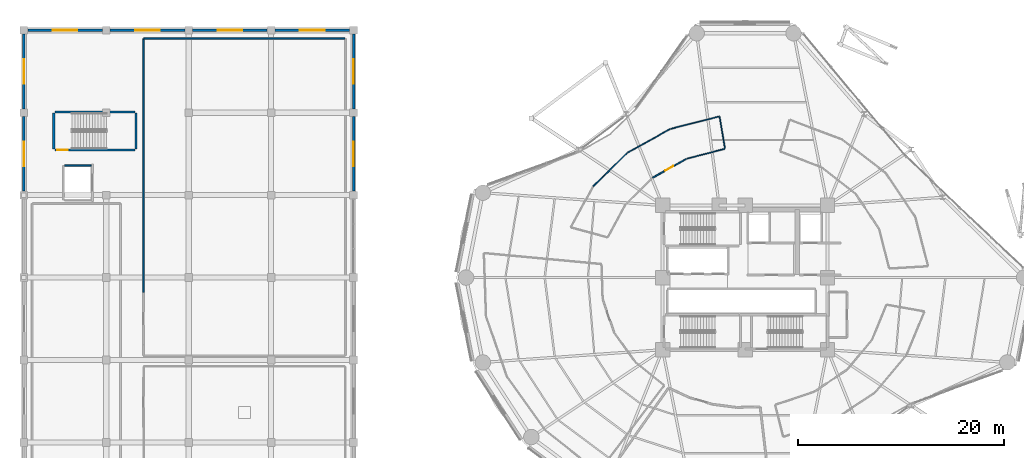
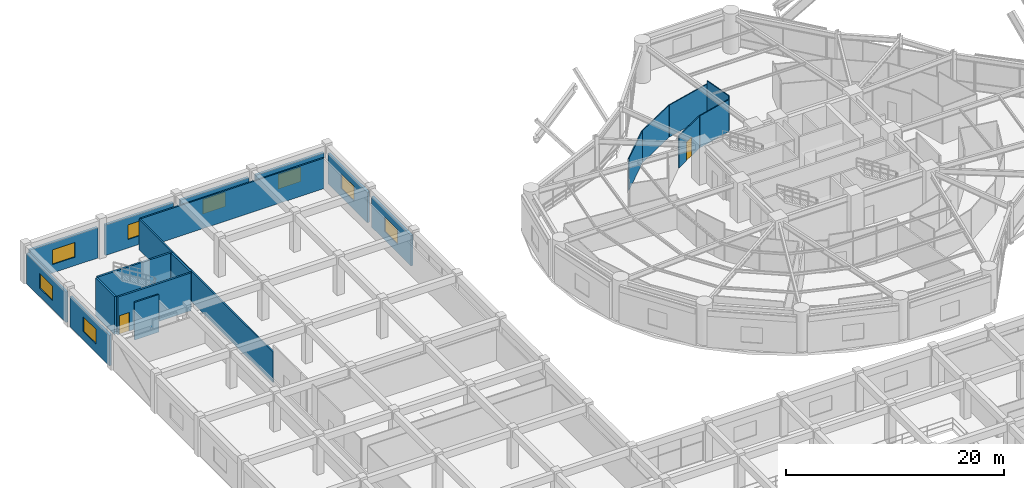
# One storey, part 46 of 55: 21 walls, 8 windows, 2 doors, 10 openings.
"""IFC4 building model written with IfcOpenShell, lengths in metres."""

from ifc_helpers import new_model, si_unit, direction, frame, frame_2d, origin, place, context, subcontext, project, spatial, rectangle, extrude, material, layer, layer_set, type_object, element, fill, save


model = new_model("IFC4")

# Units and contexts
model_context = context("Model", 3, precision=1e-05, world=origin(), true_north=direction((0.0, 1.0)))
body_context = subcontext(model_context, "Body", "Model", "MODEL_VIEW")
ifc_project = project(units=[si_unit("LENGTHUNIT", "METRE"), si_unit("AREAUNIT", "SQUARE_METRE"), si_unit("VOLUMEUNIT", "CUBIC_METRE"), si_unit("PLANEANGLEUNIT", "RADIAN"), si_unit("MASSUNIT", "GRAM", prefix="KILO")], contexts=[model_context])

# Site, building, storey
site_placement = place(None, origin())
site = spatial("IfcSite", under=ifc_project, at=site_placement, CompositionType="ELEMENT")
building_placement = place(site_placement, origin())
building = spatial("IfcBuilding", under=site, at=building_placement, Name="Kelanora Arch Commons", CompositionType="ELEMENT")
storey_placement = place(building_placement, frame((0.0, 0.0, 4.5)))
storey = spatial("IfcBuildingStorey", under=building, at=storey_placement, Name="L01", CompositionType="ELEMENT", Elevation=4.5)

# Walls
ifc_material_1 = material(Name="Autoclaved aerated concrete blockwork with fire plaster", Category="masonry")
ifc_layer_1 = layer(ifc_material_1, 0.14990234375)
ifc_layer_set_1 = layer_set([ifc_layer_1], Name="Autoclaved aerated concrete blockwork with fire plaster")
wall_type_1 = type_object("IfcWallType", Name="W-COMP-150", PredefinedType="PARTITIONING", material=ifc_layer_set_1)
wall_1_placement = place(storey_placement, frame((7.9599609375, 68.860107421875, 0.0), z_axis=(0.0, 0.0, 1.0), x_axis=(1.0, 0.0, 0.0)))
element("IfcWall", 1, at=wall_1_placement, inside=storey, type_object=wall_type_1, Name="Market West Lift Shaft North Wall L01", PredefinedType="PARTITIONING", context=body_context, shape_type="SweptSolid", body=[
    extrude(rectangle(XDim=2.56005859375, YDim=0.14990234375, at=frame_2d((1.280029296875, 0.0))), origin(), (0.0, 0.0, 1.0), 4.22998046875),
])
wall_2_placement = place(storey_placement, frame((35.159912109375, 81.199951171875, 0.0), z_axis=(0.0, 0.0, 1.0), x_axis=(-1.0, 0.0, 0.0)))
element("IfcWall", 2, at=wall_2_placement, inside=storey, type_object=wall_type_1, Name="Market Mezzanine Cold Room and Dry Goods Store L01 Enclosure Partition 3", PredefinedType="PARTITIONING", context=body_context, shape_type="SweptSolid", body=[
    extrude(rectangle(XDim=19.5, YDim=0.14990234375, at=frame_2d((9.75, 0.0))), origin(), (0.0, 0.0, 1.0), 3.425048828125),
])
wall_3_placement = place(storey_placement, frame((15.6201171875, 81.159912109375, 0.0), z_axis=(0.0, 0.0, 1.0), x_axis=(0.0, -1.0, 0.0)))
element("IfcWall", 3, at=wall_3_placement, inside=storey, type_object=wall_type_1, Name="Market Mezzanine Cold Room and Dry Goods Store L01 Enclosure Partition 4", PredefinedType="PARTITIONING", context=body_context, shape_type="SweptSolid", body=[
    extrude(rectangle(XDim=24.619873046875, YDim=0.14990234375, at=frame_2d((12.31005859375, 0.0))), origin(), (0.0, 0.0, 1.0), 3.425048828125),
])

# Wall, opening, window
ifc_material_2 = material(Name="Precast concrete C40/50 with terracotta ceramic cladding", Category="masonry")
ifc_layer_2 = layer(ifc_material_2, 0.25)
ifc_layer_set_2 = layer_set([ifc_layer_2], Name="Precast concrete C40/50 with terracotta ceramic cladding")
wall_type_2 = type_object("IfcWallType", Name="W-EXT-MKT", PredefinedType="SOLIDWALL", material=ifc_layer_set_2)
wall_4_placement = place(storey_placement, frame((36.0, 66.3798828125, 0.0), z_axis=(0.0, 0.0, 1.0), x_axis=(0.0, 1.0, 0.0)))
wall_4 = element("IfcWall", 4, at=wall_4_placement, inside=storey, type_object=wall_type_2, Name="Market Hall Exterior Wall L01-28", PredefinedType="SOLIDWALL", context=body_context, shape_type="SweptSolid", body=[
    extrude(rectangle(XDim=7.240234375, YDim=0.25, at=frame_2d((3.6201171875, 0.0))), origin(), (0.0, 0.0, 1.0), 3.419921875),
])
opening_1_placement = place(wall_4_placement, frame((2.419921875, 0.0, 0.949951171875)))
opening_1 = element("IfcOpeningElement", 5, at=opening_1_placement, cuts=wall_4, Name="Opening WN-03", PredefinedType="OPENING", context=body_context, shape_type="SweptSolid", body=[
    extrude(rectangle(XDim=2.39990234375, YDim=1.64990234375, at=frame_2d((1.199951171875, 0.824951171875))), frame((0.0, 0.135009765625, 0.0), z_axis=(0.0, -1.0, 0.0), x_axis=(1.0, 0.0, 0.0)), (0.0, 0.0, 1.0), 0.27001953125),
])
ifc_material_3 = material(Name="Bronze-terracotta aluminium monsoon clerestory window", Category="masonry")
window_type = type_object("IfcWindowType", Name="WIN-MKT-24", PartitioningType="TRIPLE_PANEL_VERTICAL", PredefinedType="WINDOW", material=ifc_material_3)
window_1_placement = place(opening_1_placement, origin())
window_1 = element("IfcWindow", 6, at=window_1_placement, inside=storey, type_object=window_type, Name="Market Hall Clerestory Window L01-28", OverallHeight=1.64990234375, OverallWidth=2.39990234375, PartitioningType="SINGLE_PANEL", PredefinedType="WINDOW", context=body_context, shape_type="SweptSolid", body=[
    extrude(rectangle(XDim=2.39990234375, YDim=1.64990234375, at=frame_2d((1.199951171875, 0.824951171875))), frame((0.0, 0.030029296875, 0.0), z_axis=(0.0, -1.0, 0.0), x_axis=(1.0, 0.0, 0.0)), (0.0, 0.0, 1.0), 0.06005859375),
])
fill(opening_1, window_1)

wall_5_placement = place(storey_placement, frame((36.0, 74.3798828125, 0.0), z_axis=(0.0, 0.0, 1.0), x_axis=(0.0, 1.0, 0.0)))
wall_5 = element("IfcWall", 7, at=wall_5_placement, inside=storey, type_object=wall_type_2, Name="Market Hall Exterior Wall L01-29", PredefinedType="SOLIDWALL", context=body_context, shape_type="SweptSolid", body=[
    extrude(rectangle(XDim=7.240234375, YDim=0.25, at=frame_2d((3.6201171875, 0.0))), origin(), (0.0, 0.0, 1.0), 3.419921875),
])
opening_2_placement = place(wall_5_placement, frame((2.419921875, 0.0, 0.949951171875)))
opening_2 = element("IfcOpeningElement", 8, at=opening_2_placement, cuts=wall_5, Name="Opening WN-03", PredefinedType="OPENING", context=body_context, shape_type="SweptSolid", body=[
    extrude(rectangle(XDim=2.39990234375, YDim=1.64990234375, at=frame_2d((1.199951171875, 0.824951171875))), frame((0.0, 0.135009765625, 0.0), z_axis=(0.0, -1.0, 0.0), x_axis=(1.0, 0.0, 0.0)), (0.0, 0.0, 1.0), 0.27001953125),
])
window_2_placement = place(opening_2_placement, origin())
window_2 = element("IfcWindow", 9, at=window_2_placement, inside=storey, type_object=window_type, Name="Market Hall Clerestory Window L01-29", OverallHeight=1.64990234375, OverallWidth=2.39990234375, PartitioningType="SINGLE_PANEL", PredefinedType="WINDOW", context=body_context, shape_type="SweptSolid", body=[
    extrude(rectangle(XDim=2.39990234375, YDim=1.64990234375, at=frame_2d((1.199951171875, 0.824951171875))), frame((0.0, 0.030029296875, 0.0), z_axis=(0.0, -1.0, 0.0), x_axis=(1.0, 0.0, 0.0)), (0.0, 0.0, 1.0), 0.06005859375),
])
fill(opening_2, window_2)

wall_6_placement = place(storey_placement, frame((35.6201171875, 82.0, 0.0), z_axis=(0.0, 0.0, 1.0), x_axis=(-1.0, 0.0, 0.0)))
wall_6 = element("IfcWall", 10, at=wall_6_placement, inside=storey, type_object=wall_type_2, Name="Market Hall Exterior Wall L01-30", PredefinedType="SOLIDWALL", context=body_context, shape_type="SweptSolid", body=[
    extrude(rectangle(XDim=7.240234375, YDim=0.25, at=frame_2d((3.6201171875, 0.0))), origin(), (0.0, 0.0, 1.0), 3.419921875),
])
opening_3_placement = place(wall_6_placement, frame((2.419921875, 0.0, 0.949951171875)))
opening_3 = element("IfcOpeningElement", 11, at=opening_3_placement, cuts=wall_6, Name="Opening WN-03", PredefinedType="OPENING", context=body_context, shape_type="SweptSolid", body=[
    extrude(rectangle(XDim=2.39990234375, YDim=1.64990234375, at=frame_2d((1.199951171875, 0.824951171875))), frame((0.0, 0.135009765625, 0.0), z_axis=(0.0, -1.0, 0.0), x_axis=(1.0, 0.0, 0.0)), (0.0, 0.0, 1.0), 0.27001953125),
])
window_3_placement = place(opening_3_placement, origin())
window_3 = element("IfcWindow", 12, at=window_3_placement, inside=storey, type_object=window_type, Name="Market Hall Clerestory Window L01-30", OverallHeight=1.64990234375, OverallWidth=2.39990234375, PartitioningType="SINGLE_PANEL", PredefinedType="WINDOW", context=body_context, shape_type="SweptSolid", body=[
    extrude(rectangle(XDim=2.39990234375, YDim=1.64990234375, at=frame_2d((1.199951171875, 0.824951171875))), frame((0.0, 0.030029296875, 0.0), z_axis=(0.0, -1.0, 0.0), x_axis=(1.0, 0.0, 0.0)), (0.0, 0.0, 1.0), 0.06005859375),
])
fill(opening_3, window_3)

wall_7_placement = place(storey_placement, frame((27.6201171875, 82.0, 0.0), z_axis=(0.0, 0.0, 1.0), x_axis=(-1.0, 0.0, 0.0)))
wall_7 = element("IfcWall", 13, at=wall_7_placement, inside=storey, type_object=wall_type_2, Name="Market Hall Exterior Wall L01-31", PredefinedType="SOLIDWALL", context=body_context, shape_type="SweptSolid", body=[
    extrude(rectangle(XDim=7.240234375, YDim=0.25, at=frame_2d((3.6201171875, 0.0))), origin(), (0.0, 0.0, 1.0), 3.419921875),
])
opening_4_placement = place(wall_7_placement, frame((2.419921875, 0.0, 0.949951171875)))
opening_4 = element("IfcOpeningElement", 14, at=opening_4_placement, cuts=wall_7, Name="Opening WN-03", PredefinedType="OPENING", context=body_context, shape_type="SweptSolid", body=[
    extrude(rectangle(XDim=2.39990234375, YDim=1.64990234375, at=frame_2d((1.199951171875, 0.824951171875))), frame((0.0, 0.135009765625, 0.0), z_axis=(0.0, -1.0, 0.0), x_axis=(1.0, 0.0, 0.0)), (0.0, 0.0, 1.0), 0.27001953125),
])
window_4_placement = place(opening_4_placement, origin())
window_4 = element("IfcWindow", 15, at=window_4_placement, inside=storey, type_object=window_type, Name="Market Hall Clerestory Window L01-31", OverallHeight=1.64990234375, OverallWidth=2.39990234375, PartitioningType="SINGLE_PANEL", PredefinedType="WINDOW", context=body_context, shape_type="SweptSolid", body=[
    extrude(rectangle(XDim=2.39990234375, YDim=1.64990234375, at=frame_2d((1.199951171875, 0.824951171875))), frame((0.0, 0.030029296875, 0.0), z_axis=(0.0, -1.0, 0.0), x_axis=(1.0, 0.0, 0.0)), (0.0, 0.0, 1.0), 0.06005859375),
])
fill(opening_4, window_4)

wall_8_placement = place(storey_placement, frame((19.6201171875, 82.0, 0.0), z_axis=(0.0, 0.0, 1.0), x_axis=(-1.0, 0.0, 0.0)))
wall_8 = element("IfcWall", 16, at=wall_8_placement, inside=storey, type_object=wall_type_2, Name="Market Hall Exterior Wall L01-32", PredefinedType="SOLIDWALL", context=body_context, shape_type="SweptSolid", body=[
    extrude(rectangle(XDim=7.240234375, YDim=0.25, at=frame_2d((3.6201171875, 0.0))), origin(), (0.0, 0.0, 1.0), 3.419921875),
])
opening_5_placement = place(wall_8_placement, frame((2.419921875, 0.0, 0.949951171875)))
opening_5 = element("IfcOpeningElement", 17, at=opening_5_placement, cuts=wall_8, Name="Opening WN-03", PredefinedType="OPENING", context=body_context, shape_type="SweptSolid", body=[
    extrude(rectangle(XDim=2.39990234375, YDim=1.64990234375, at=frame_2d((1.199951171875, 0.824951171875))), frame((0.0, 0.135009765625, 0.0), z_axis=(0.0, -1.0, 0.0), x_axis=(1.0, 0.0, 0.0)), (0.0, 0.0, 1.0), 0.27001953125),
])
window_5_placement = place(opening_5_placement, origin())
window_5 = element("IfcWindow", 18, at=window_5_placement, inside=storey, type_object=window_type, Name="Market Hall Clerestory Window L01-32", OverallHeight=1.64990234375, OverallWidth=2.39990234375, PartitioningType="SINGLE_PANEL", PredefinedType="WINDOW", context=body_context, shape_type="SweptSolid", body=[
    extrude(rectangle(XDim=2.39990234375, YDim=1.64990234375, at=frame_2d((1.199951171875, 0.824951171875))), frame((0.0, 0.030029296875, 0.0), z_axis=(0.0, -1.0, 0.0), x_axis=(1.0, 0.0, 0.0)), (0.0, 0.0, 1.0), 0.06005859375),
])
fill(opening_5, window_5)

wall_9_placement = place(storey_placement, frame((11.6201171875, 82.0, 0.0), z_axis=(0.0, 0.0, 1.0), x_axis=(-1.0, 0.0, 0.0)))
wall_9 = element("IfcWall", 19, at=wall_9_placement, inside=storey, type_object=wall_type_2, Name="Market Hall Exterior Wall L01-33", PredefinedType="SOLIDWALL", context=body_context, shape_type="SweptSolid", body=[
    extrude(rectangle(XDim=7.240234375, YDim=0.25, at=frame_2d((3.6201171875, 0.0))), origin(), (0.0, 0.0, 1.0), 3.419921875),
])
opening_6_placement = place(wall_9_placement, frame((2.419921875, 0.0, 0.949951171875)))
opening_6 = element("IfcOpeningElement", 20, at=opening_6_placement, cuts=wall_9, Name="Opening WN-03", PredefinedType="OPENING", context=body_context, shape_type="SweptSolid", body=[
    extrude(rectangle(XDim=2.39990234375, YDim=1.64990234375, at=frame_2d((1.199951171875, 0.824951171875))), frame((0.0, 0.135009765625, 0.0), z_axis=(0.0, -1.0, 0.0), x_axis=(1.0, 0.0, 0.0)), (0.0, 0.0, 1.0), 0.27001953125),
])
window_6_placement = place(opening_6_placement, origin())
window_6 = element("IfcWindow", 21, at=window_6_placement, inside=storey, type_object=window_type, Name="Market Hall Clerestory Window L01-33", OverallHeight=1.64990234375, OverallWidth=2.39990234375, PartitioningType="SINGLE_PANEL", PredefinedType="WINDOW", context=body_context, shape_type="SweptSolid", body=[
    extrude(rectangle(XDim=2.39990234375, YDim=1.64990234375, at=frame_2d((1.199951171875, 0.824951171875))), frame((0.0, 0.030029296875, 0.0), z_axis=(0.0, -1.0, 0.0), x_axis=(1.0, 0.0, 0.0)), (0.0, 0.0, 1.0), 0.06005859375),
])
fill(opening_6, window_6)

wall_10_placement = place(storey_placement, frame((4.0, 81.6201171875, 0.0), z_axis=(0.0, 0.0, 1.0), x_axis=(0.0, -1.0, 0.0)))
wall_10 = element("IfcWall", 22, at=wall_10_placement, inside=storey, type_object=wall_type_2, Name="Market Hall Exterior Wall L01-34", PredefinedType="SOLIDWALL", context=body_context, shape_type="SweptSolid", body=[
    extrude(rectangle(XDim=7.240234375, YDim=0.25, at=frame_2d((3.6201171875, 0.0))), origin(), (0.0, 0.0, 1.0), 3.419921875),
])
opening_7_placement = place(wall_10_placement, frame((2.419921875, 0.0, 0.949951171875)))
opening_7 = element("IfcOpeningElement", 23, at=opening_7_placement, cuts=wall_10, Name="Opening WN-03", PredefinedType="OPENING", context=body_context, shape_type="SweptSolid", body=[
    extrude(rectangle(XDim=2.39990234375, YDim=1.64990234375, at=frame_2d((1.199951171875, 0.824951171875))), frame((0.0, 0.135009765625, 0.0), z_axis=(0.0, -1.0, 0.0), x_axis=(1.0, 0.0, 0.0)), (0.0, 0.0, 1.0), 0.27001953125),
])
window_7_placement = place(opening_7_placement, origin())
window_7 = element("IfcWindow", 24, at=window_7_placement, inside=storey, type_object=window_type, Name="Market Hall Clerestory Window L01-34", OverallHeight=1.64990234375, OverallWidth=2.39990234375, PartitioningType="SINGLE_PANEL", PredefinedType="WINDOW", context=body_context, shape_type="SweptSolid", body=[
    extrude(rectangle(XDim=2.39990234375, YDim=1.64990234375, at=frame_2d((1.199951171875, 0.824951171875))), frame((0.0, 0.030029296875, 0.0), z_axis=(0.0, -1.0, 0.0), x_axis=(1.0, 0.0, 0.0)), (0.0, 0.0, 1.0), 0.06005859375),
])
fill(opening_7, window_7)

wall_11_placement = place(storey_placement, frame((4.0, 73.6201171875, 0.0), z_axis=(0.0, 0.0, 1.0), x_axis=(0.0, -1.0, 0.0)))
wall_11 = element("IfcWall", 25, at=wall_11_placement, inside=storey, type_object=wall_type_2, Name="Market Hall Exterior Wall L01-35", PredefinedType="SOLIDWALL", context=body_context, shape_type="SweptSolid", body=[
    extrude(rectangle(XDim=7.240234375, YDim=0.25, at=frame_2d((3.6201171875, 0.0))), origin(), (0.0, 0.0, 1.0), 3.419921875),
])
opening_8_placement = place(wall_11_placement, frame((2.419921875, 0.0, 0.949951171875)))
opening_8 = element("IfcOpeningElement", 26, at=opening_8_placement, cuts=wall_11, Name="Opening WN-03", PredefinedType="OPENING", context=body_context, shape_type="SweptSolid", body=[
    extrude(rectangle(XDim=2.39990234375, YDim=1.64990234375, at=frame_2d((1.199951171875, 0.824951171875))), frame((0.0, 0.135009765625, 0.0), z_axis=(0.0, -1.0, 0.0), x_axis=(1.0, 0.0, 0.0)), (0.0, 0.0, 1.0), 0.27001953125),
])
window_8_placement = place(opening_8_placement, origin())
window_8 = element("IfcWindow", 27, at=window_8_placement, inside=storey, type_object=window_type, Name="Market Hall Clerestory Window L01-35", OverallHeight=1.64990234375, OverallWidth=2.39990234375, PartitioningType="SINGLE_PANEL", PredefinedType="WINDOW", context=body_context, shape_type="SweptSolid", body=[
    extrude(rectangle(XDim=2.39990234375, YDim=1.64990234375, at=frame_2d((1.199951171875, 0.824951171875))), frame((0.0, 0.030029296875, 0.0), z_axis=(0.0, -1.0, 0.0), x_axis=(1.0, 0.0, 0.0)), (0.0, 0.0, 1.0), 0.06005859375),
])
fill(opening_8, window_8)

# Walls
ifc_material_4 = material(Name="Lightweight fire-rated acoustic stud partition")
ifc_layer_3 = layer(ifc_material_4, 0.10009765625)
ifc_layer_set_3 = layer_set([ifc_layer_3], Name="Lightweight fire-rated acoustic stud partition")
wall_type_3 = type_object("IfcWallType", Name="W-PART-100", PredefinedType="PARTITIONING", material=ifc_layer_set_3)
wall_12_placement = place(storey_placement, frame((72.01025390625, 70.487060546875, 0.0), z_axis=(0.0, 0.0, 1.0), x_axis=(-0.96827883043, -0.249872180405, 0.0)))
element("IfcWall", 28, at=wall_12_placement, inside=storey, type_object=wall_type_3, Name="North Courtyard Culinary Dining Hall L01-B Enclosure Partition 1", PredefinedType="PARTITIONING", context=body_context, shape_type="SweptSolid", body=[
    extrude(rectangle(XDim=3.7939453125, YDim=0.10009765625, at=frame_2d((1.89697265625, 0.0))), origin(), (0.0, 0.0, 1.0), 3.5849609375),
])
wall_13_placement = place(storey_placement, frame((59.271484375, 66.863037109375, 0.0), z_axis=(0.0, 0.0, 1.0), x_axis=(0.712024911857, 0.702154203075, 0.0)))
element("IfcWall", 29, at=wall_13_placement, inside=storey, type_object=wall_type_3, Name="North Courtyard Culinary Dining Hall L01-B Enclosure Partition 7", PredefinedType="PARTITIONING", context=body_context, shape_type="SweptSolid", body=[
    extrude(rectangle(XDim=4.57568359375, YDim=0.10009765625, at=frame_2d((2.287841796875, 0.0))), origin(), (0.0, 0.0, 1.0), 3.5849609375),
])
wall_14_placement = place(storey_placement, frame((62.593017578125, 70.123291015625, 0.0), z_axis=(0.0, 0.0, 1.0), x_axis=(0.874546970914, 0.484940816663, 0.0)))
element("IfcWall", 30, at=wall_14_placement, inside=storey, type_object=wall_type_3, Name="North Courtyard Culinary Dining Hall L01-B Enclosure Partition 8", PredefinedType="PARTITIONING", context=body_context, shape_type="SweptSolid", body=[
    extrude(rectangle(XDim=4.724853515625, YDim=0.10009765625, at=frame_2d((2.3623046875, 0.0))), origin(), (0.0, 0.0, 1.0), 3.5849609375),
])
wall_15_placement = place(storey_placement, frame((66.798828125, 72.44384765625, 0.0), z_axis=(0.0, 0.0, 1.0), x_axis=(0.969121093941, 0.246585290069, 0.0)))
element("IfcWall", 31, at=wall_15_placement, inside=storey, type_object=wall_type_3, Name="North Courtyard Culinary Dining Hall L01-B Enclosure Partition 9", PredefinedType="PARTITIONING", context=body_context, shape_type="SweptSolid", body=[
    extrude(rectangle(XDim=4.83447265625, YDim=0.10009765625, at=frame_2d((2.417236328125, 0.0))), origin(), (0.0, 0.0, 1.0), 3.5849609375),
])
wall_16_placement = place(storey_placement, frame((71.529541015625, 73.6064453125, 0.0), z_axis=(0.0, 0.0, 1.0), x_axis=(0.164806022155, -0.98632599837, 0.0)))
element("IfcWall", 32, at=wall_16_placement, inside=storey, type_object=wall_type_3, Name="North Courtyard Culinary Dining Hall L01-B Enclosure Partition 10", PredefinedType="PARTITIONING", context=body_context, shape_type="SweptSolid", body=[
    extrude(rectangle(XDim=3.1123046875, YDim=0.10009765625, at=frame_2d((1.55615234375, 0.0))), origin(), (0.0, 0.0, 1.0), 3.945068359375),
])

# Wall, opening, door
ifc_material_5 = material(Name="Acoustic twin-stud fire-rated gypsum partition")
ifc_layer_4 = layer(ifc_material_5, 0.1201171875)
ifc_layer_set_4 = layer_set([ifc_layer_4], Name="Acoustic twin-stud fire-rated gypsum partition")
wall_type_4 = type_object("IfcWallType", Name="W-PART-120", PredefinedType="PARTITIONING", material=ifc_layer_set_4)
wall_17_placement = place(storey_placement, frame((68.24560546875, 69.49951171875, 0.0), z_axis=(0.0, 0.0, 1.0), x_axis=(-0.871548943047, -0.490308514993, 0.0)))
wall_17 = element("IfcWall", 33, at=wall_17_placement, inside=storey, type_object=wall_type_4, Name="North Courtyard Culinary Dining Hall L01-B Entry Partition", PredefinedType="PARTITIONING", context=body_context, shape_type="SweptSolid", body=[
    extrude(rectangle(XDim=3.677734375, YDim=0.1201171875, at=frame_2d((1.8388671875, 0.0))), origin(), (0.0, 0.0, 1.0), 3.5849609375),
])
opening_9_placement = place(wall_17_placement, frame((1.388916015625, 0.0, 0.0)))
opening_9 = element("IfcOpeningElement", 34, at=opening_9_placement, cuts=wall_17, Name="Opening D-RM1", PredefinedType="OPENING", context=body_context, shape_type="SweptSolid", body=[
    extrude(rectangle(XDim=0.89990234375, YDim=2.080078125, at=frame_2d((0.449951171875, 1.0400390625))), frame((0.0, 0.070068359375, 0.0), z_axis=(0.0, -1.0, 0.0), x_axis=(1.0, 0.0, 0.0)), (0.0, 0.0, 1.0), 0.14013671875),
])
ifc_material_6 = material(Name="Acoustic fire-rated timber study and lounge door", Category="wood")
door_type_1 = type_object("IfcDoorType", Name="D-ROOM-90", OperationType="NOTDEFINED", PredefinedType="DOOR", material=ifc_material_6)
door_1_placement = place(opening_9_placement, origin())
door_1 = element("IfcDoor", 35, at=door_1_placement, inside=storey, type_object=door_type_1, Name="North Courtyard Culinary Dining Hall L01-B Door", OperationType="SINGLE_SWING_RIGHT", OverallHeight=2.080078125, OverallWidth=0.89990234375, PredefinedType="DOOR", context=body_context, shape_type="SweptSolid", body=[
    extrude(rectangle(XDim=0.89990234375, YDim=2.080078125, at=frame_2d((0.449951171875, 1.0400390625))), frame((0.0, 0.02490234375, 0.0), z_axis=(0.0, -1.0, 0.0), x_axis=(1.0, 0.0, 0.0)), (0.0, 0.0, 1.0), 0.050048828125),
])
fill(opening_9, door_1)

ifc_material_7 = material(Name="Concrete C40/50", Category="concrete")
ifc_layer_5 = layer(ifc_material_7, 0.199951171875)
ifc_layer_set_5 = layer_set([ifc_layer_5], Name="Concrete C40/50")
wall_type_5 = type_object("IfcWallType", Name="W-STAIR-200", PredefinedType="SHEAR", material=ifc_layer_set_5)
wall_18_placement = place(storey_placement, frame((7.02001953125, 70.3798828125, 0.0), z_axis=(0.0, 0.0, 1.0), x_axis=(1.0, 0.0, 0.0)))
wall_18 = element("IfcWall", 36, at=wall_18_placement, inside=storey, type_object=wall_type_5, Name="Stair ST-M3 Shaft Wall S L01", PredefinedType="SHEAR", context=body_context, shape_type="SweptSolid", body=[
    extrude(rectangle(XDim=7.760009765625, YDim=0.199951171875, at=frame_2d((3.8798828125, 0.0))), origin(), (0.0, 0.0, 1.0), 4.239990234375),
])
opening_10_placement = place(wall_18_placement, frame((0.199951171875, 0.0, 0.0)))
opening_10 = element("IfcOpeningElement", 37, at=opening_10_placement, cuts=wall_18, Name="Opening D-ST1", PredefinedType="OPENING", context=body_context, shape_type="SweptSolid", body=[
    extrude(rectangle(XDim=1.050048828125, YDim=2.10009765625, at=frame_2d((0.52490234375, 1.050048828125))), frame((0.0, 0.10986328125, 0.0), z_axis=(0.0, -1.0, 0.0), x_axis=(1.0, 0.0, 0.0)), (0.0, 0.0, 1.0), 0.219970703125),
])
ifc_material_8 = material(Name="Steel fire-rated stairwell escape door", Category="steel")
door_type_2 = type_object("IfcDoorType", Name="D-STAIR-110", OperationType="NOTDEFINED", PredefinedType="DOOR", material=ifc_material_8)
door_2_placement = place(opening_10_placement, origin())
door_2 = element("IfcDoor", 38, at=door_2_placement, inside=storey, type_object=door_type_2, Name="Stair ST-M3 Escape Door L01", OperationType="SINGLE_SWING_LEFT", OverallHeight=2.10009765625, OverallWidth=1.050048828125, PredefinedType="DOOR", context=body_context, shape_type="SweptSolid", body=[
    extrude(rectangle(XDim=1.050048828125, YDim=2.10009765625, at=frame_2d((0.52490234375, 1.050048828125))), frame((0.0, 0.02490234375, 0.0), z_axis=(0.0, -1.0, 0.0), x_axis=(1.0, 0.0, 0.0)), (0.0, 0.0, 1.0), 0.050048828125),
])
fill(opening_10, door_2)

# Walls
wall_19_placement = place(storey_placement, frame((14.89990234375, 70.5, 0.0), z_axis=(0.0, 0.0, 1.0), x_axis=(0.0, 1.0, 0.0)))
element("IfcWall", 39, at=wall_19_placement, inside=storey, type_object=wall_type_5, Name="Stair ST-M3 Shaft Wall E L01", PredefinedType="SHEAR", context=body_context, shape_type="SweptSolid", body=[
    extrude(rectangle(XDim=3.469970703125, YDim=0.199951171875, at=frame_2d((1.73486328125, 0.0))), origin(), (0.0, 0.0, 1.0), 4.239990234375),
])
wall_20_placement = place(storey_placement, frame((14.780029296875, 74.090087890625, 0.0), z_axis=(0.0, 0.0, 1.0), x_axis=(-1.0, 0.0, 0.0)))
element("IfcWall", 40, at=wall_20_placement, inside=storey, type_object=wall_type_5, Name="Stair ST-M3 Shaft Wall N L01", PredefinedType="SHEAR", context=body_context, shape_type="SweptSolid", body=[
    extrude(rectangle(XDim=7.760009765625, YDim=0.199951171875, at=frame_2d((3.8798828125, 0.0))), origin(), (0.0, 0.0, 1.0), 4.239990234375),
])
wall_21_placement = place(storey_placement, frame((6.89990234375, 73.969970703125, 0.0), z_axis=(0.0, 0.0, 1.0), x_axis=(0.0, -1.0, 0.0)))
element("IfcWall", 41, at=wall_21_placement, inside=storey, type_object=wall_type_5, Name="Stair ST-M3 Shaft Wall W L01", PredefinedType="SHEAR", context=body_context, shape_type="SweptSolid", body=[
    extrude(rectangle(XDim=3.469970703125, YDim=0.199951171875, at=frame_2d((1.73486328125, 0.0))), origin(), (0.0, 0.0, 1.0), 4.239990234375),
])

save(model, "model.ifc")
